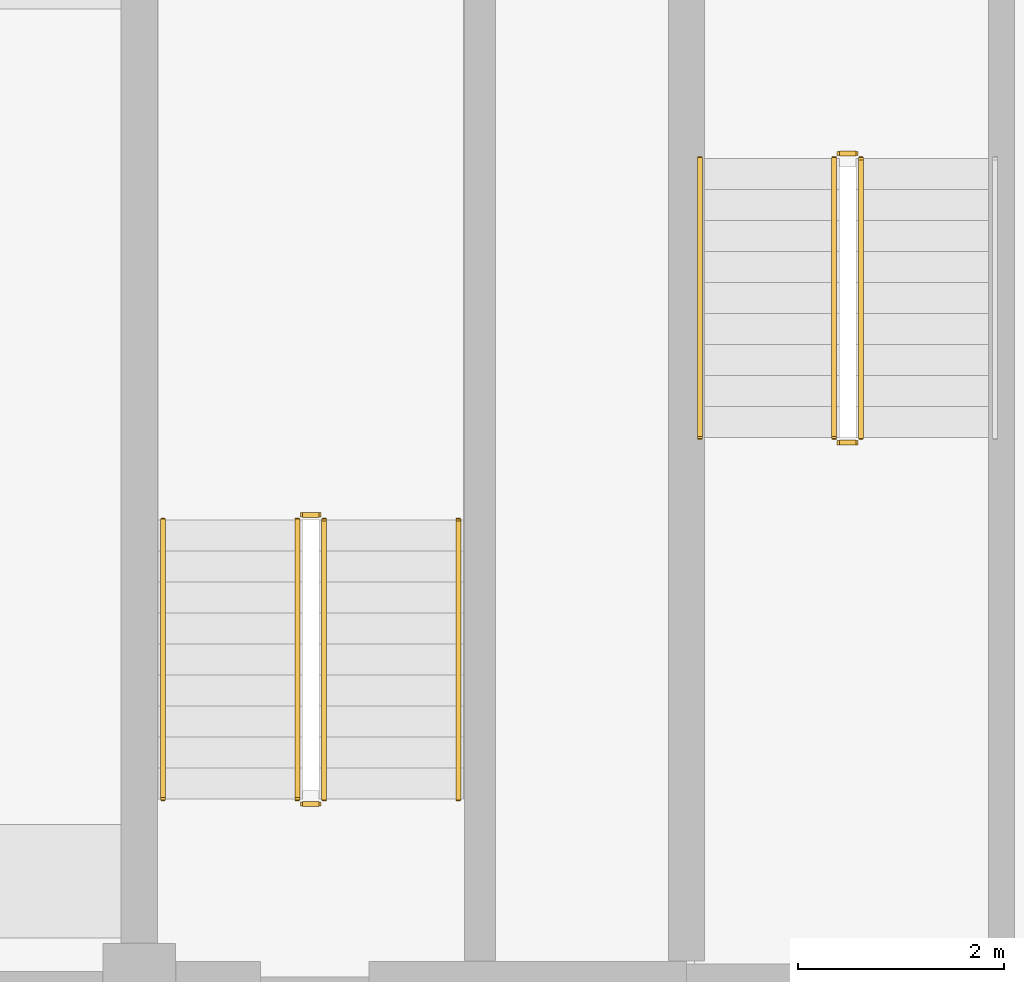
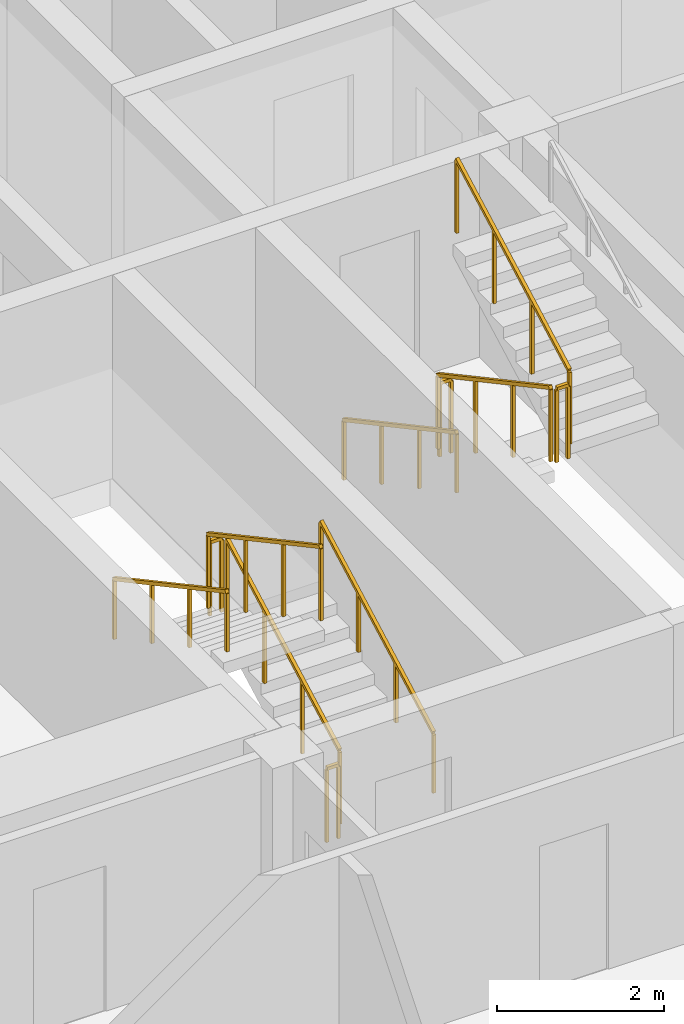
# One storey, part 11 of 14: 11 railings.
"""IFC4 building model written with IfcOpenShell, lengths in metres."""

from ifc_helpers import new_model, si_unit, direction, frame, origin, origin_2d, place, context, subcontext, project, spatial, rectangle, extrude, material, type_object, element, save


model = new_model("IFC4")

# Units and contexts
model_context = context("Model", 3, precision=1e-05, world=origin(), true_north=direction((0.0, 1.0)))
body_context = subcontext(model_context, "Body", "Model", "MODEL_VIEW")
ifc_project = project(units=[si_unit("LENGTHUNIT", "METRE"), si_unit("AREAUNIT", "SQUARE_METRE"), si_unit("VOLUMEUNIT", "CUBIC_METRE"), si_unit("PLANEANGLEUNIT", "RADIAN"), si_unit("MASSUNIT", "GRAM", prefix="KILO")], contexts=[model_context])

# Site, building, storey
site_placement = place(None, origin())
site = spatial("IfcSite", under=ifc_project, at=site_placement, CompositionType="ELEMENT")
building_placement = place(site_placement, origin())
building = spatial("IfcBuilding", under=site, at=building_placement, Name="Zulmaris Gate Convention Tower", CompositionType="ELEMENT")
storey_placement = place(building_placement, frame((0.0, 0.0, 254.429931640625)))
storey = spatial("IfcBuildingStorey", under=building, at=storey_placement, Name="L67", CompositionType="ELEMENT", Elevation=254.429931640625)

# Railings
ifc_material_1 = material(Name="Painted Galvanised Steel", Category="steel")
railing_type_1 = type_object("IfcRailingType", Name="RL-STG-1150", PredefinedType="GUARDRAIL", material=ifc_material_1)
railing_1_placement = place(storey_placement, frame((-13.27001953125, -2.0, 0.161376953125)))
element("IfcRailing", 1, at=railing_1_placement, inside=storey, type_object=railing_type_1, Name="L67 ST-1 stair guard 1", PredefinedType="GUARDRAIL", context=body_context, shape_type="SweptSolid", body=[
    extrude(rectangle(XDim=0.048095703125, YDim=0.048095703125, at=origin_2d()), frame((0.0, 0.0, 1.076171875), z_axis=(0.0, -0.880499220447, 0.474047595492), x_axis=(1.0, 0.0, 0.0)), (0.0, 0.0, 1.0), 3.06640625),
    extrude(rectangle(XDim=0.0419921875, YDim=0.0419921875, at=origin_2d()), origin(), (0.0, 0.0, 1.0), 1.052001953125),
    extrude(rectangle(XDim=0.0419921875, YDim=0.0419921875, at=origin_2d()), frame((0.0, -0.89990234375, 0.484619140625)), (0.0, 0.0, 1.0), 1.052001953125),
    extrude(rectangle(XDim=0.0419921875, YDim=0.0419921875, at=origin_2d()), frame((0.0, -1.800048828125, 0.968994140625)), (0.0, 0.0, 1.0), 1.052001953125),
    extrude(rectangle(XDim=0.0419921875, YDim=0.0419921875, at=origin_2d()), frame((0.0, -2.699951171875, 1.45361328125)), (0.0, 0.0, 1.0), 1.052001953125),
])
railing_2_placement = place(storey_placement, frame((-13.219970703125, -4.75, 1.614990234375)))
element("IfcRailing", 2, at=railing_2_placement, inside=storey, type_object=railing_type_1, Name="L67 ST-1 stair guard 2", PredefinedType="GUARDRAIL", context=body_context, shape_type="SweptSolid", body=[
    extrude(rectangle(XDim=0.048095703125, YDim=0.048095703125, at=origin_2d()), frame((0.0, 0.0, 1.076171875), z_axis=(1.0, 0.0, 0.0), x_axis=(0.0, 1.0, 0.0)), (0.0, 0.0, 1.0), 0.159912109375),
    extrude(rectangle(XDim=0.0419921875, YDim=0.0419921875, at=origin_2d()), origin(), (0.0, 0.0, 1.0), 1.052001953125),
    extrude(rectangle(XDim=0.0419921875, YDim=0.0419921875, at=origin_2d()), frame((0.159912109375, 0.0, 0.0)), (0.0, 0.0, 1.0), 1.052001953125),
])
railing_3_placement = place(storey_placement, frame((-13.010009765625, -4.699951171875, 1.7763671875)))
element("IfcRailing", 3, at=railing_3_placement, inside=storey, type_object=railing_type_1, Name="L67 ST-1 stair guard 3", PredefinedType="GUARDRAIL", context=body_context, shape_type="SweptSolid", body=[
    extrude(rectangle(XDim=0.048095703125, YDim=0.048095703125, at=origin_2d()), frame((0.0, 0.0, 1.076171875), z_axis=(0.0, 0.880499220447, 0.474047595492), x_axis=(-1.0, 0.0, 0.0)), (0.0, 0.0, 1.0), 3.06640625),
    extrude(rectangle(XDim=0.0419921875, YDim=0.0419921875, at=origin_2d()), origin(), (0.0, 0.0, 1.0), 1.052001953125),
    extrude(rectangle(XDim=0.0419921875, YDim=0.0419921875, at=origin_2d()), frame((0.0, 0.89990234375, 0.484619140625)), (0.0, 0.0, 1.0), 1.052001953125),
    extrude(rectangle(XDim=0.0419921875, YDim=0.0419921875, at=origin_2d()), frame((0.0, 1.800048828125, 0.968994140625)), (0.0, 0.0, 1.0), 1.052001953125),
    extrude(rectangle(XDim=0.0419921875, YDim=0.0419921875, at=origin_2d()), frame((0.0, 2.699951171875, 1.45361328125)), (0.0, 0.0, 1.0), 1.052001953125),
])
railing_4_placement = place(storey_placement, frame((-13.219970703125, -1.949951171875, 0.0)))
element("IfcRailing", 4, at=railing_4_placement, inside=storey, type_object=railing_type_1, Name="L67 ST-1 stair guard 4", PredefinedType="GUARDRAIL", context=body_context, shape_type="SweptSolid", body=[
    extrude(rectangle(XDim=0.048095703125, YDim=0.048095703125, at=origin_2d()), frame((0.0, 0.0, 1.076171875), z_axis=(1.0, 0.0, 0.0), x_axis=(0.0, 1.0, 0.0)), (0.0, 0.0, 1.0), 0.159912109375),
    extrude(rectangle(XDim=0.0419921875, YDim=0.0419921875, at=origin_2d()), origin(), (0.0, 0.0, 1.0), 1.052001953125),
    extrude(rectangle(XDim=0.0419921875, YDim=0.0419921875, at=origin_2d()), frame((0.159912109375, 0.0, 0.0)), (0.0, 0.0, 1.0), 1.052001953125),
])
railing_5_placement = place(storey_placement, frame((-18.2099609375, -8.199951171875, 0.161376953125)))
element("IfcRailing", 5, at=railing_5_placement, inside=storey, type_object=railing_type_1, Name="L67 ST-3 stair guard 1", PredefinedType="GUARDRAIL", context=body_context, shape_type="SweptSolid", body=[
    extrude(rectangle(XDim=0.048095703125, YDim=0.048095703125, at=origin_2d()), frame((0.0, 0.0, 1.076171875), z_axis=(0.0, 0.880499220447, 0.474047595492), x_axis=(-1.0, 0.0, 0.0)), (0.0, 0.0, 1.0), 3.06640625),
    extrude(rectangle(XDim=0.0419921875, YDim=0.0419921875, at=origin_2d()), origin(), (0.0, 0.0, 1.0), 1.052001953125),
    extrude(rectangle(XDim=0.0419921875, YDim=0.0419921875, at=origin_2d()), frame((0.0, 0.89990234375, 0.484619140625)), (0.0, 0.0, 1.0), 1.052001953125),
    extrude(rectangle(XDim=0.0419921875, YDim=0.0419921875, at=origin_2d()), frame((0.0, 1.800048828125, 0.968994140625)), (0.0, 0.0, 1.0), 1.052001953125),
    extrude(rectangle(XDim=0.0419921875, YDim=0.0419921875, at=origin_2d()), frame((0.0, 2.699951171875, 1.45361328125)), (0.0, 0.0, 1.0), 1.052001953125),
])
railing_6_placement = place(storey_placement, frame((-18.260009765625, -5.449951171875, 1.614990234375)))
element("IfcRailing", 6, at=railing_6_placement, inside=storey, type_object=railing_type_1, Name="L67 ST-3 stair guard 2", PredefinedType="GUARDRAIL", context=body_context, shape_type="SweptSolid", body=[
    extrude(rectangle(XDim=0.048095703125, YDim=0.048095703125, at=origin_2d()), frame((0.0, 0.0, 1.076171875), z_axis=(-1.0, 0.0, 0.0), x_axis=(0.0, -1.0, 0.0)), (0.0, 0.0, 1.0), 0.159912109375),
    extrude(rectangle(XDim=0.0419921875, YDim=0.0419921875, at=origin_2d()), origin(), (0.0, 0.0, 1.0), 1.052001953125),
    extrude(rectangle(XDim=0.0419921875, YDim=0.0419921875, at=origin_2d()), frame((-0.159912109375, 0.0, 0.0)), (0.0, 0.0, 1.0), 1.052001953125),
])
railing_7_placement = place(storey_placement, frame((-18.469970703125, -5.5, 1.7763671875)))
element("IfcRailing", 7, at=railing_7_placement, inside=storey, type_object=railing_type_1, Name="L67 ST-3 stair guard 3", PredefinedType="GUARDRAIL", context=body_context, shape_type="SweptSolid", body=[
    extrude(rectangle(XDim=0.048095703125, YDim=0.048095703125, at=origin_2d()), frame((0.0, 0.0, 1.076171875), z_axis=(0.0, -0.880499220447, 0.474047595492), x_axis=(1.0, 0.0, 0.0)), (0.0, 0.0, 1.0), 3.06640625),
    extrude(rectangle(XDim=0.0419921875, YDim=0.0419921875, at=origin_2d()), origin(), (0.0, 0.0, 1.0), 1.052001953125),
    extrude(rectangle(XDim=0.0419921875, YDim=0.0419921875, at=origin_2d()), frame((0.0, -0.89990234375, 0.484619140625)), (0.0, 0.0, 1.0), 1.052001953125),
    extrude(rectangle(XDim=0.0419921875, YDim=0.0419921875, at=origin_2d()), frame((0.0, -1.800048828125, 0.968994140625)), (0.0, 0.0, 1.0), 1.052001953125),
    extrude(rectangle(XDim=0.0419921875, YDim=0.0419921875, at=origin_2d()), frame((0.0, -2.699951171875, 1.45361328125)), (0.0, 0.0, 1.0), 1.052001953125),
])
railing_8_placement = place(storey_placement, frame((-18.260009765625, -8.25, 0.0)))
element("IfcRailing", 8, at=railing_8_placement, inside=storey, type_object=railing_type_1, Name="L67 ST-3 stair guard 4", PredefinedType="GUARDRAIL", context=body_context, shape_type="SweptSolid", body=[
    extrude(rectangle(XDim=0.048095703125, YDim=0.048095703125, at=origin_2d()), frame((0.0, 0.0, 1.076171875), z_axis=(-1.0, 0.0, 0.0), x_axis=(0.0, -1.0, 0.0)), (0.0, 0.0, 1.0), 0.159912109375),
    extrude(rectangle(XDim=0.0419921875, YDim=0.0419921875, at=origin_2d()), origin(), (0.0, 0.0, 1.0), 1.052001953125),
    extrude(rectangle(XDim=0.0419921875, YDim=0.0419921875, at=origin_2d()), frame((-0.159912109375, 0.0, 0.0)), (0.0, 0.0, 1.0), 1.052001953125),
])
ifc_material_2 = material(Name="Brushed Stainless Steel", Category="steel")
railing_type_2 = type_object("IfcRailingType", Name="RL-STH-900", PredefinedType="HANDRAIL", material=ifc_material_2)
railing_9_placement = place(storey_placement, frame((-14.570068359375, -2.0, 0.161376953125)))
element("IfcRailing", 9, at=railing_9_placement, inside=storey, type_object=railing_type_2, Name="L67 ST-1 stair handrail 1", PredefinedType="HANDRAIL", context=body_context, shape_type="SweptSolid", body=[
    extrude(rectangle(XDim=0.048095703125, YDim=0.048095703125, at=origin_2d()), frame((0.0, 0.0, 0.8759765625), z_axis=(0.0, -0.880499220447, 0.474047595492), x_axis=(1.0, 0.0, 0.0)), (0.0, 0.0, 1.0), 3.06640625),
    extrude(rectangle(XDim=0.0419921875, YDim=0.0419921875, at=origin_2d()), origin(), (0.0, 0.0, 1.0), 0.851806640625),
    extrude(rectangle(XDim=0.0419921875, YDim=0.0419921875, at=origin_2d()), frame((0.0, -0.89990234375, 0.484619140625)), (0.0, 0.0, 1.0), 0.851806640625),
    extrude(rectangle(XDim=0.0419921875, YDim=0.0419921875, at=origin_2d()), frame((0.0, -1.800048828125, 0.968994140625)), (0.0, 0.0, 1.0), 0.851806640625),
    extrude(rectangle(XDim=0.0419921875, YDim=0.0419921875, at=origin_2d()), frame((0.0, -2.699951171875, 1.45361328125)), (0.0, 0.0, 1.0), 0.851806640625),
])
railing_10_placement = place(storey_placement, frame((-16.909912109375, -8.199951171875, 0.161376953125)))
element("IfcRailing", 10, at=railing_10_placement, inside=storey, type_object=railing_type_2, Name="L67 ST-3 stair handrail 1", PredefinedType="HANDRAIL", context=body_context, shape_type="SweptSolid", body=[
    extrude(rectangle(XDim=0.048095703125, YDim=0.048095703125, at=origin_2d()), frame((0.0, 0.0, 0.8759765625), z_axis=(0.0, 0.880499220447, 0.474047595492), x_axis=(-1.0, 0.0, 0.0)), (0.0, 0.0, 1.0), 3.06640625),
    extrude(rectangle(XDim=0.0419921875, YDim=0.0419921875, at=origin_2d()), origin(), (0.0, 0.0, 1.0), 0.851806640625),
    extrude(rectangle(XDim=0.0419921875, YDim=0.0419921875, at=origin_2d()), frame((0.0, 0.89990234375, 0.484619140625)), (0.0, 0.0, 1.0), 0.851806640625),
    extrude(rectangle(XDim=0.0419921875, YDim=0.0419921875, at=origin_2d()), frame((0.0, 1.800048828125, 0.968994140625)), (0.0, 0.0, 1.0), 0.851806640625),
    extrude(rectangle(XDim=0.0419921875, YDim=0.0419921875, at=origin_2d()), frame((0.0, 2.699951171875, 1.45361328125)), (0.0, 0.0, 1.0), 0.851806640625),
])
railing_11_placement = place(storey_placement, frame((-19.77001953125, -5.5, 1.7763671875)))
element("IfcRailing", 11, at=railing_11_placement, inside=storey, type_object=railing_type_2, Name="L67 ST-3 stair handrail 2", PredefinedType="HANDRAIL", context=body_context, shape_type="SweptSolid", body=[
    extrude(rectangle(XDim=0.048095703125, YDim=0.048095703125, at=origin_2d()), frame((0.0, 0.0, 0.8759765625), z_axis=(0.0, -0.880499220447, 0.474047595492), x_axis=(1.0, 0.0, 0.0)), (0.0, 0.0, 1.0), 3.06640625),
    extrude(rectangle(XDim=0.0419921875, YDim=0.0419921875, at=origin_2d()), origin(), (0.0, 0.0, 1.0), 0.851806640625),
    extrude(rectangle(XDim=0.0419921875, YDim=0.0419921875, at=origin_2d()), frame((0.0, -0.89990234375, 0.484619140625)), (0.0, 0.0, 1.0), 0.851806640625),
    extrude(rectangle(XDim=0.0419921875, YDim=0.0419921875, at=origin_2d()), frame((0.0, -1.800048828125, 0.968994140625)), (0.0, 0.0, 1.0), 0.851806640625),
    extrude(rectangle(XDim=0.0419921875, YDim=0.0419921875, at=origin_2d()), frame((0.0, -2.699951171875, 1.45361328125)), (0.0, 0.0, 1.0), 0.851806640625),
])

save(model, "model.ifc")
